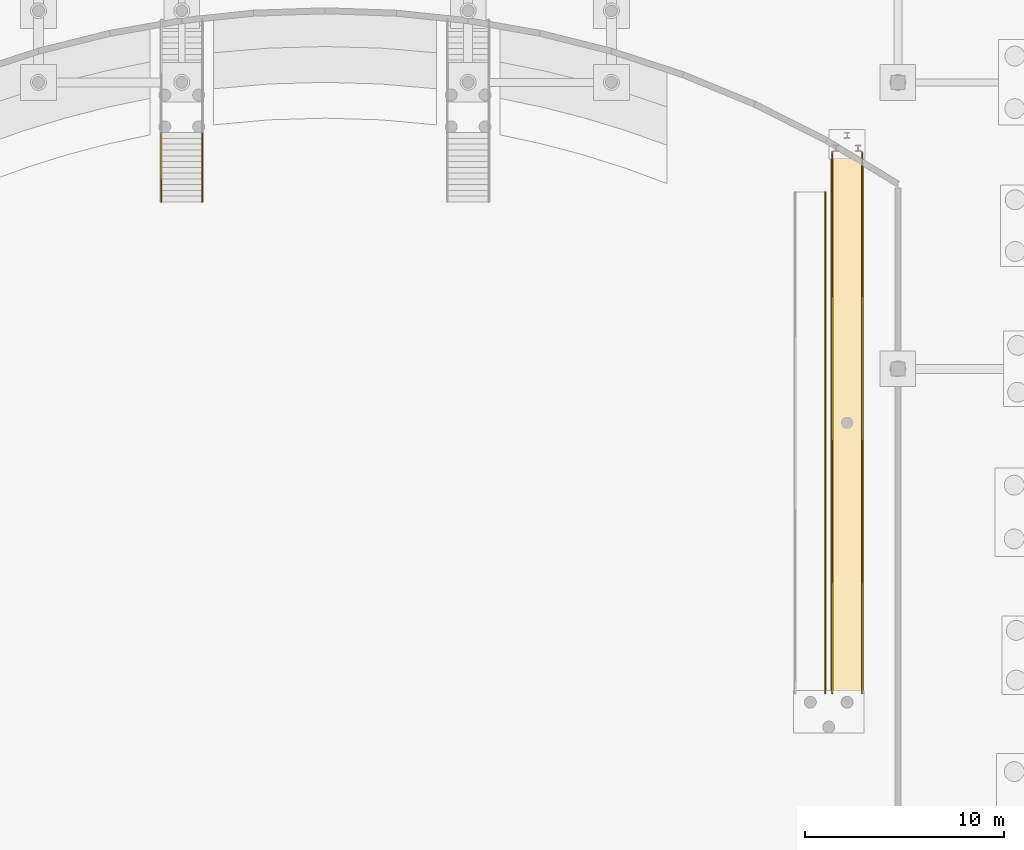
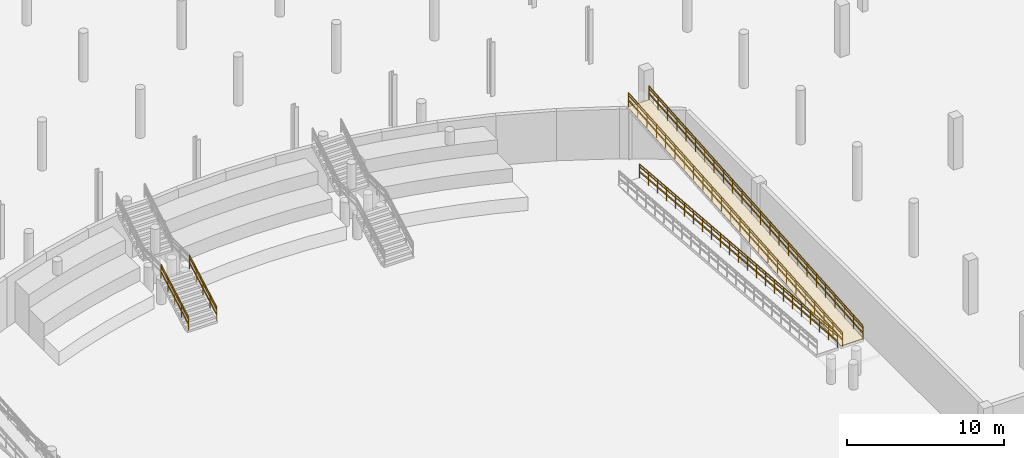
# One storey, part 51 of 56: 10 railings, 1 covering.
"""IFC4 building model written with IfcOpenShell, lengths in metres."""

from ifc_helpers import new_model, si_unit, direction, frame, origin, origin_2d, place, context, subcontext, project, spatial, polyline, rectangle, outline, extrude, material, layer, layer_set, type_object, element, save


model = new_model("IFC4")

# Units and contexts
model_context = context("Model", 3, precision=1e-05, world=origin(), true_north=direction((0.0, 1.0)))
body_context = subcontext(model_context, "Body", "Model", "MODEL_VIEW")
ifc_project = project(units=[si_unit("LENGTHUNIT", "METRE"), si_unit("AREAUNIT", "SQUARE_METRE"), si_unit("VOLUMEUNIT", "CUBIC_METRE"), si_unit("PLANEANGLEUNIT", "RADIAN"), si_unit("MASSUNIT", "GRAM", prefix="KILO")], contexts=[model_context])

# Site, building, storey
site_placement = place(None, origin())
site = spatial("IfcSite", under=ifc_project, at=site_placement, CompositionType="ELEMENT")
building_placement = place(site_placement, origin())
building = spatial("IfcBuilding", under=site, at=building_placement, Name="Suanplinth Sawtooth Commons", CompositionType="ELEMENT")
storey_placement = place(building_placement, frame((0.0, 0.0, -4.199951171875)))
storey = spatial("IfcBuildingStorey", under=building, at=storey_placement, Name="B1", CompositionType="ELEMENT", Elevation=-4.199951171875)

# Covering
ifc_material_1 = material(Name="Insulated zinc-aluminium architectural wall panel", Category="aluminium")
ifc_layer = layer(ifc_material_1, 0.139892578125, Name="Insulated architectural gable tympanum cladding 140mm")
ifc_layer_set = layer_set([ifc_layer], Name="Insulated zinc-aluminium architectural wall panel")
covering_type = type_object("IfcCoveringType", Name="CV-CL02", PredefinedType="CLADDING", material=ifc_layer_set)
covering_placement = place(storey_placement, frame((111.830078125, 12.5380859375, 2.119873046875), z_axis=(0.0, -0.076390700414, 0.99707796129), x_axis=(1.0, 0.0, 0.0)))
element("IfcCovering", 1, at=covering_placement, inside=storey, type_object=covering_type, Name="RMP-AR-02 Upper Ramp Deck Stone Finish", PredefinedType="CLADDING", context=body_context, shape_type="SweptSolid", body=[
    extrude(outline(polyline([(0.0, 0.0), (1.639892578125, 0.0), (1.639892578125, 27.22946790301392), (0.0, 27.22946790301392), (0.0, 0.0)])), origin(), (0.0, 0.0, -1.0), 0.06005859375),
])

# Railings
ifc_material_2 = material(Name="Stainless steel Grade 304", Category="steel")
railing_type_1 = type_object("IfcRailingType", Name="GR-04", PredefinedType="GUARDRAIL", material=ifc_material_2)
for number, where, name in (
    (2, (78.159912109375, 37.189208984375, 0.161376953125), "Forecourt Stair Guard 1-1-1"),
    (3, (80.239990234375, 37.189208984375, 0.161376953125), "Forecourt Stair Guard 1-2-1"),
):
    element("IfcRailing", number, at=place(storey_placement, frame(where)), inside=storey, type_object=railing_type_1, Name=name, PredefinedType="GUARDRAIL", context=body_context, shape_type="SweptSolid", body=[
        extrude(rectangle(XDim=0.048095703125, YDim=0.048095703125, at=origin_2d()), frame((0.0, 0.0, 1.076171875), z_axis=(0.0, 0.87360743253, 0.486631332559), x_axis=(-1.0, 0.0, 0.0)), (0.0, 0.0, 1.0), 3.9833984375),
        extrude(rectangle(XDim=0.03369140625, YDim=0.03369140625, at=origin_2d()), frame((0.0, 0.0, 0.550048828125), z_axis=(0.0, 0.87360743253, 0.486631332559), x_axis=(-1.0, 0.0, 0.0)), (0.0, 0.0, 1.0), 3.9833984375),
        extrude(rectangle(XDim=0.0419921875, YDim=0.0419921875, at=origin_2d()), origin(), (0.0, 0.0, 1.0), 1.052001953125),
        extrude(rectangle(XDim=0.0419921875, YDim=0.0419921875, at=origin_2d()), frame((0.0, 0.8701171875, 0.484619140625)), (0.0, 0.0, 1.0), 1.052001953125),
        extrude(rectangle(XDim=0.0419921875, YDim=0.0419921875, at=origin_2d()), frame((0.0, 1.739990234375, 0.96923828125)), (0.0, 0.0, 1.0), 1.052001953125),
        extrude(rectangle(XDim=0.0419921875, YDim=0.0419921875, at=origin_2d()), frame((0.0, 2.60986328125, 1.453857421875)), (0.0, 0.0, 1.0), 1.052001953125),
        extrude(rectangle(XDim=0.0419921875, YDim=0.0419921875, at=origin_2d()), frame((0.0, 3.47998046875, 1.9384765625)), (0.0, 0.0, 1.0), 1.052001953125),
    ])
railing_1_placement = place(storey_placement, frame((111.550048828125, 37.68798828125, 0.0)))
element("IfcRailing", 4, at=railing_1_placement, inside=storey, type_object=railing_type_1, Name="RMP-AR-02 Guard 2", PredefinedType="GUARDRAIL", context=body_context, shape_type="SweptSolid", body=[
    extrude(rectangle(XDim=0.048095703125, YDim=0.048095703125, at=origin_2d()), frame((0.0, 0.0, 1.076171875), z_axis=(0.0, -0.996546224317, 0.083039886798), x_axis=(1.0, 0.0, 0.0)), (0.0, 0.0, 1.0), 25.287353515625),
    extrude(rectangle(XDim=0.03369140625, YDim=0.03369140625, at=origin_2d()), frame((0.0, 0.0, 0.550048828125), z_axis=(0.0, -0.996546224317, 0.083039886798), x_axis=(1.0, 0.0, 0.0)), (0.0, 0.0, 1.0), 25.287353515625),
    extrude(rectangle(XDim=0.0419921875, YDim=0.0419921875, at=origin_2d()), origin(), (0.0, 0.0, 1.0), 1.052001953125),
    extrude(rectangle(XDim=0.0419921875, YDim=0.0419921875, at=origin_2d()), frame((0.0, -1.1455078125, 0.095458984375)), (0.0, 0.0, 1.0), 1.052001953125),
    extrude(rectangle(XDim=0.0419921875, YDim=0.0419921875, at=origin_2d()), frame((0.0, -2.291015625, 0.19091796875)), (0.0, 0.0, 1.0), 1.052001953125),
    extrude(rectangle(XDim=0.0419921875, YDim=0.0419921875, at=origin_2d()), frame((0.0, -3.436279296875, 0.286376953125)), (0.0, 0.0, 1.0), 1.052001953125),
    extrude(rectangle(XDim=0.0419921875, YDim=0.0419921875, at=origin_2d()), frame((0.0, -4.581787109375, 0.3818359375)), (0.0, 0.0, 1.0), 1.052001953125),
    extrude(rectangle(XDim=0.0419921875, YDim=0.0419921875, at=origin_2d()), frame((0.0, -5.727294921875, 0.477294921875)), (0.0, 0.0, 1.0), 1.052001953125),
    extrude(rectangle(XDim=0.0419921875, YDim=0.0419921875, at=origin_2d()), frame((0.0, -6.872802734375, 0.57275390625)), (0.0, 0.0, 1.0), 1.052001953125),
    extrude(rectangle(XDim=0.0419921875, YDim=0.0419921875, at=origin_2d()), frame((0.0, -8.01806640625, 0.668212890625)), (0.0, 0.0, 1.0), 1.052001953125),
    extrude(rectangle(XDim=0.0419921875, YDim=0.0419921875, at=origin_2d()), frame((0.0, -9.16357421875, 0.763671875)), (0.0, 0.0, 1.0), 1.052001953125),
    extrude(rectangle(XDim=0.0419921875, YDim=0.0419921875, at=origin_2d()), frame((0.0, -10.30908203125, 0.859130859375)), (0.0, 0.0, 1.0), 1.052001953125),
    extrude(rectangle(XDim=0.0419921875, YDim=0.0419921875, at=origin_2d()), frame((0.0, -11.45458984375, 0.95458984375)), (0.0, 0.0, 1.0), 1.052001953125),
    extrude(rectangle(XDim=0.0419921875, YDim=0.0419921875, at=origin_2d()), frame((0.0, -12.60009765625, 1.0498046875)), (0.0, 0.0, 1.0), 1.052001953125),
    extrude(rectangle(XDim=0.0419921875, YDim=0.0419921875, at=origin_2d()), frame((0.0, -13.745361328125, 1.145263671875)), (0.0, 0.0, 1.0), 1.052001953125),
    extrude(rectangle(XDim=0.0419921875, YDim=0.0419921875, at=origin_2d()), frame((0.0, -14.890869140625, 1.24072265625)), (0.0, 0.0, 1.0), 1.052001953125),
    extrude(rectangle(XDim=0.0419921875, YDim=0.0419921875, at=origin_2d()), frame((0.0, -16.036376953125, 1.336181640625)), (0.0, 0.0, 1.0), 1.052001953125),
    extrude(rectangle(XDim=0.0419921875, YDim=0.0419921875, at=origin_2d()), frame((0.0, -17.181884765625, 1.431640625)), (0.0, 0.0, 1.0), 1.052001953125),
    extrude(rectangle(XDim=0.0419921875, YDim=0.0419921875, at=origin_2d()), frame((0.0, -18.3271484375, 1.527099609375)), (0.0, 0.0, 1.0), 1.052001953125),
    extrude(rectangle(XDim=0.0419921875, YDim=0.0419921875, at=origin_2d()), frame((0.0, -19.47265625, 1.62255859375)), (0.0, 0.0, 1.0), 1.052001953125),
    extrude(rectangle(XDim=0.0419921875, YDim=0.0419921875, at=origin_2d()), frame((0.0, -20.6181640625, 1.718017578125)), (0.0, 0.0, 1.0), 1.052001953125),
    extrude(rectangle(XDim=0.0419921875, YDim=0.0419921875, at=origin_2d()), frame((0.0, -21.763671875, 1.8134765625)), (0.0, 0.0, 1.0), 1.052001953125),
    extrude(rectangle(XDim=0.0419921875, YDim=0.0419921875, at=origin_2d()), frame((0.0, -22.908935546875, 1.908935546875)), (0.0, 0.0, 1.0), 1.052001953125),
    extrude(rectangle(XDim=0.0419921875, YDim=0.0419921875, at=origin_2d()), frame((0.0, -24.054443359375, 2.00439453125)), (0.0, 0.0, 1.0), 1.052001953125),
    extrude(rectangle(XDim=0.0419921875, YDim=0.0419921875, at=origin_2d()), frame((0.0, -25.199951171875, 2.099853515625)), (0.0, 0.0, 1.0), 1.052001953125),
])
railing_2_placement = place(storey_placement, frame((111.89990234375, 12.488037109375, 2.099853515625)))
element("IfcRailing", 5, at=railing_2_placement, inside=storey, type_object=railing_type_1, Name="RMP-AR-02 Guard 3", PredefinedType="GUARDRAIL", context=body_context, shape_type="SweptSolid", body=[
    extrude(rectangle(XDim=0.048095703125, YDim=0.048095703125, at=origin_2d()), frame((0.0, 0.0, 1.076171875), z_axis=(0.0, 0.997032598624, 0.076980499353), x_axis=(-1.0, 0.0, 0.0)), (0.0, 0.0, 1.0), 27.281005859375),
    extrude(rectangle(XDim=0.03369140625, YDim=0.03369140625, at=origin_2d()), frame((0.0, 0.0, 0.550048828125), z_axis=(0.0, 0.997032598624, 0.076980499353), x_axis=(-1.0, 0.0, 0.0)), (0.0, 0.0, 1.0), 27.281005859375),
    extrude(rectangle(XDim=0.0419921875, YDim=0.0419921875, at=origin_2d()), origin(), (0.0, 0.0, 1.0), 1.052001953125),
    extrude(rectangle(XDim=0.0419921875, YDim=0.0419921875, at=origin_2d()), frame((0.0, 1.1826171875, 0.09130859375)), (0.0, 0.0, 1.0), 1.052001953125),
    extrude(rectangle(XDim=0.0419921875, YDim=0.0419921875, at=origin_2d()), frame((0.0, 2.365234375, 0.1826171875)), (0.0, 0.0, 1.0), 1.052001953125),
    extrude(rectangle(XDim=0.0419921875, YDim=0.0419921875, at=origin_2d()), frame((0.0, 3.5478515625, 0.27392578125)), (0.0, 0.0, 1.0), 1.052001953125),
    extrude(rectangle(XDim=0.0419921875, YDim=0.0419921875, at=origin_2d()), frame((0.0, 4.73046875, 0.365234375)), (0.0, 0.0, 1.0), 1.052001953125),
    extrude(rectangle(XDim=0.0419921875, YDim=0.0419921875, at=origin_2d()), frame((0.0, 5.9130859375, 0.45654296875)), (0.0, 0.0, 1.0), 1.052001953125),
    extrude(rectangle(XDim=0.0419921875, YDim=0.0419921875, at=origin_2d()), frame((0.0, 7.095703125, 0.5478515625)), (0.0, 0.0, 1.0), 1.052001953125),
    extrude(rectangle(XDim=0.0419921875, YDim=0.0419921875, at=origin_2d()), frame((0.0, 8.2783203125, 0.63916015625)), (0.0, 0.0, 1.0), 1.052001953125),
    extrude(rectangle(XDim=0.0419921875, YDim=0.0419921875, at=origin_2d()), frame((0.0, 9.4609375, 0.73046875)), (0.0, 0.0, 1.0), 1.052001953125),
    extrude(rectangle(XDim=0.0419921875, YDim=0.0419921875, at=origin_2d()), frame((0.0, 10.6435546875, 0.82177734375)), (0.0, 0.0, 1.0), 1.052001953125),
    extrude(rectangle(XDim=0.0419921875, YDim=0.0419921875, at=origin_2d()), frame((0.0, 11.826171875, 0.9130859375)), (0.0, 0.0, 1.0), 1.052001953125),
    extrude(rectangle(XDim=0.0419921875, YDim=0.0419921875, at=origin_2d()), frame((0.0, 13.0087890625, 1.00439453125)), (0.0, 0.0, 1.0), 1.052001953125),
    extrude(rectangle(XDim=0.0419921875, YDim=0.0419921875, at=origin_2d()), frame((0.0, 14.191162109375, 1.095703125)), (0.0, 0.0, 1.0), 1.052001953125),
    extrude(rectangle(XDim=0.0419921875, YDim=0.0419921875, at=origin_2d()), frame((0.0, 15.373779296875, 1.18701171875)), (0.0, 0.0, 1.0), 1.052001953125),
    extrude(rectangle(XDim=0.0419921875, YDim=0.0419921875, at=origin_2d()), frame((0.0, 16.556396484375, 1.2783203125)), (0.0, 0.0, 1.0), 1.052001953125),
    extrude(rectangle(XDim=0.0419921875, YDim=0.0419921875, at=origin_2d()), frame((0.0, 17.739013671875, 1.36962890625)), (0.0, 0.0, 1.0), 1.052001953125),
    extrude(rectangle(XDim=0.0419921875, YDim=0.0419921875, at=origin_2d()), frame((0.0, 18.921630859375, 1.4609375)), (0.0, 0.0, 1.0), 1.052001953125),
    extrude(rectangle(XDim=0.0419921875, YDim=0.0419921875, at=origin_2d()), frame((0.0, 20.104248046875, 1.55224609375)), (0.0, 0.0, 1.0), 1.052001953125),
    extrude(rectangle(XDim=0.0419921875, YDim=0.0419921875, at=origin_2d()), frame((0.0, 21.286865234375, 1.6435546875)), (0.0, 0.0, 1.0), 1.052001953125),
    extrude(rectangle(XDim=0.0419921875, YDim=0.0419921875, at=origin_2d()), frame((0.0, 22.469482421875, 1.73486328125)), (0.0, 0.0, 1.0), 1.052001953125),
    extrude(rectangle(XDim=0.0419921875, YDim=0.0419921875, at=origin_2d()), frame((0.0, 23.652099609375, 1.826171875)), (0.0, 0.0, 1.0), 1.052001953125),
    extrude(rectangle(XDim=0.0419921875, YDim=0.0419921875, at=origin_2d()), frame((0.0, 24.834716796875, 1.91748046875)), (0.0, 0.0, 1.0), 1.052001953125),
    extrude(rectangle(XDim=0.0419921875, YDim=0.0419921875, at=origin_2d()), frame((0.0, 26.017333984375, 2.0087890625)), (0.0, 0.0, 1.0), 1.052001953125),
    extrude(rectangle(XDim=0.0419921875, YDim=0.0419921875, at=origin_2d()), frame((0.0, 27.199951171875, 2.10009765625)), (0.0, 0.0, 1.0), 1.052001953125),
])
railing_3_placement = place(storey_placement, frame((113.39990234375, 12.488037109375, 2.099853515625)))
element("IfcRailing", 6, at=railing_3_placement, inside=storey, type_object=railing_type_1, Name="RMP-AR-02 Guard 4", PredefinedType="GUARDRAIL", context=body_context, shape_type="SweptSolid", body=[
    extrude(rectangle(XDim=0.048095703125, YDim=0.048095703125, at=origin_2d()), frame((0.0, 0.0, 1.076171875), z_axis=(0.0, 0.997032598624, 0.076980499353), x_axis=(-1.0, 0.0, 0.0)), (0.0, 0.0, 1.0), 27.281005859375),
    extrude(rectangle(XDim=0.03369140625, YDim=0.03369140625, at=origin_2d()), frame((0.0, 0.0, 0.550048828125), z_axis=(0.0, 0.997032598624, 0.076980499353), x_axis=(-1.0, 0.0, 0.0)), (0.0, 0.0, 1.0), 27.281005859375),
    extrude(rectangle(XDim=0.0419921875, YDim=0.0419921875, at=origin_2d()), origin(), (0.0, 0.0, 1.0), 1.052001953125),
    extrude(rectangle(XDim=0.0419921875, YDim=0.0419921875, at=origin_2d()), frame((0.0, 1.1826171875, 0.09130859375)), (0.0, 0.0, 1.0), 1.052001953125),
    extrude(rectangle(XDim=0.0419921875, YDim=0.0419921875, at=origin_2d()), frame((0.0, 2.365234375, 0.1826171875)), (0.0, 0.0, 1.0), 1.052001953125),
    extrude(rectangle(XDim=0.0419921875, YDim=0.0419921875, at=origin_2d()), frame((0.0, 3.5478515625, 0.27392578125)), (0.0, 0.0, 1.0), 1.052001953125),
    extrude(rectangle(XDim=0.0419921875, YDim=0.0419921875, at=origin_2d()), frame((0.0, 4.73046875, 0.365234375)), (0.0, 0.0, 1.0), 1.052001953125),
    extrude(rectangle(XDim=0.0419921875, YDim=0.0419921875, at=origin_2d()), frame((0.0, 5.9130859375, 0.45654296875)), (0.0, 0.0, 1.0), 1.052001953125),
    extrude(rectangle(XDim=0.0419921875, YDim=0.0419921875, at=origin_2d()), frame((0.0, 7.095703125, 0.5478515625)), (0.0, 0.0, 1.0), 1.052001953125),
    extrude(rectangle(XDim=0.0419921875, YDim=0.0419921875, at=origin_2d()), frame((0.0, 8.2783203125, 0.63916015625)), (0.0, 0.0, 1.0), 1.052001953125),
    extrude(rectangle(XDim=0.0419921875, YDim=0.0419921875, at=origin_2d()), frame((0.0, 9.4609375, 0.73046875)), (0.0, 0.0, 1.0), 1.052001953125),
    extrude(rectangle(XDim=0.0419921875, YDim=0.0419921875, at=origin_2d()), frame((0.0, 10.6435546875, 0.82177734375)), (0.0, 0.0, 1.0), 1.052001953125),
    extrude(rectangle(XDim=0.0419921875, YDim=0.0419921875, at=origin_2d()), frame((0.0, 11.826171875, 0.9130859375)), (0.0, 0.0, 1.0), 1.052001953125),
    extrude(rectangle(XDim=0.0419921875, YDim=0.0419921875, at=origin_2d()), frame((0.0, 13.0087890625, 1.00439453125)), (0.0, 0.0, 1.0), 1.052001953125),
    extrude(rectangle(XDim=0.0419921875, YDim=0.0419921875, at=origin_2d()), frame((0.0, 14.191162109375, 1.095703125)), (0.0, 0.0, 1.0), 1.052001953125),
    extrude(rectangle(XDim=0.0419921875, YDim=0.0419921875, at=origin_2d()), frame((0.0, 15.373779296875, 1.18701171875)), (0.0, 0.0, 1.0), 1.052001953125),
    extrude(rectangle(XDim=0.0419921875, YDim=0.0419921875, at=origin_2d()), frame((0.0, 16.556396484375, 1.2783203125)), (0.0, 0.0, 1.0), 1.052001953125),
    extrude(rectangle(XDim=0.0419921875, YDim=0.0419921875, at=origin_2d()), frame((0.0, 17.739013671875, 1.36962890625)), (0.0, 0.0, 1.0), 1.052001953125),
    extrude(rectangle(XDim=0.0419921875, YDim=0.0419921875, at=origin_2d()), frame((0.0, 18.921630859375, 1.4609375)), (0.0, 0.0, 1.0), 1.052001953125),
    extrude(rectangle(XDim=0.0419921875, YDim=0.0419921875, at=origin_2d()), frame((0.0, 20.104248046875, 1.55224609375)), (0.0, 0.0, 1.0), 1.052001953125),
    extrude(rectangle(XDim=0.0419921875, YDim=0.0419921875, at=origin_2d()), frame((0.0, 21.286865234375, 1.6435546875)), (0.0, 0.0, 1.0), 1.052001953125),
    extrude(rectangle(XDim=0.0419921875, YDim=0.0419921875, at=origin_2d()), frame((0.0, 22.469482421875, 1.73486328125)), (0.0, 0.0, 1.0), 1.052001953125),
    extrude(rectangle(XDim=0.0419921875, YDim=0.0419921875, at=origin_2d()), frame((0.0, 23.652099609375, 1.826171875)), (0.0, 0.0, 1.0), 1.052001953125),
    extrude(rectangle(XDim=0.0419921875, YDim=0.0419921875, at=origin_2d()), frame((0.0, 24.834716796875, 1.91748046875)), (0.0, 0.0, 1.0), 1.052001953125),
    extrude(rectangle(XDim=0.0419921875, YDim=0.0419921875, at=origin_2d()), frame((0.0, 26.017333984375, 2.0087890625)), (0.0, 0.0, 1.0), 1.052001953125),
    extrude(rectangle(XDim=0.0419921875, YDim=0.0419921875, at=origin_2d()), frame((0.0, 27.199951171875, 2.10009765625)), (0.0, 0.0, 1.0), 1.052001953125),
])
railing_type_2 = type_object("IfcRailingType", Name="HR-01", PredefinedType="HANDRAIL", material=ifc_material_2)
for number, where, name in (
    (7, (78.159912109375, 37.189208984375, 0.161376953125), "Forecourt Stair Handrail 1-1-1"),
    (8, (80.239990234375, 37.189208984375, 0.161376953125), "Forecourt Stair Handrail 1-2-1"),
):
    element("IfcRailing", number, at=place(storey_placement, frame(where)), inside=storey, type_object=railing_type_2, Name=name, PredefinedType="HANDRAIL", context=body_context, shape_type="SweptSolid", body=[
        extrude(rectangle(XDim=0.048095703125, YDim=0.048095703125, at=origin_2d()), frame((0.0, 0.0, 0.8759765625), z_axis=(0.0, 0.87360743253, 0.486631332559), x_axis=(-1.0, 0.0, 0.0)), (0.0, 0.0, 1.0), 3.9833984375),
        extrude(rectangle(XDim=0.03369140625, YDim=0.03369140625, at=origin_2d()), frame((0.0, 0.0, 0.449951171875), z_axis=(0.0, 0.87360743253, 0.486631332559), x_axis=(-1.0, 0.0, 0.0)), (0.0, 0.0, 1.0), 3.9833984375),
        extrude(rectangle(XDim=0.0419921875, YDim=0.0419921875, at=origin_2d()), origin(), (0.0, 0.0, 1.0), 0.851806640625),
        extrude(rectangle(XDim=0.0419921875, YDim=0.0419921875, at=origin_2d()), frame((0.0, 0.8701171875, 0.484619140625)), (0.0, 0.0, 1.0), 0.851806640625),
        extrude(rectangle(XDim=0.0419921875, YDim=0.0419921875, at=origin_2d()), frame((0.0, 1.739990234375, 0.96923828125)), (0.0, 0.0, 1.0), 0.851806640625),
        extrude(rectangle(XDim=0.0419921875, YDim=0.0419921875, at=origin_2d()), frame((0.0, 2.60986328125, 1.453857421875)), (0.0, 0.0, 1.0), 0.851806640625),
        extrude(rectangle(XDim=0.0419921875, YDim=0.0419921875, at=origin_2d()), frame((0.0, 3.47998046875, 1.9384765625)), (0.0, 0.0, 1.0), 0.851806640625),
    ])
railing_4_placement = place(storey_placement, frame((111.550048828125, 37.68798828125, 0.0)))
element("IfcRailing", 9, at=railing_4_placement, inside=storey, type_object=railing_type_2, Name="RMP-AR-02 Handrail 2", PredefinedType="HANDRAIL", context=body_context, shape_type="SweptSolid", body=[
    extrude(rectangle(XDim=0.048095703125, YDim=0.048095703125, at=origin_2d()), frame((0.0, 0.0, 0.8759765625), z_axis=(0.0, -0.996546224317, 0.083039886798), x_axis=(1.0, 0.0, 0.0)), (0.0, 0.0, 1.0), 25.287353515625),
    extrude(rectangle(XDim=0.03369140625, YDim=0.03369140625, at=origin_2d()), frame((0.0, 0.0, 0.449951171875), z_axis=(0.0, -0.996546224317, 0.083039886798), x_axis=(1.0, 0.0, 0.0)), (0.0, 0.0, 1.0), 25.287353515625),
    extrude(rectangle(XDim=0.0419921875, YDim=0.0419921875, at=origin_2d()), origin(), (0.0, 0.0, 1.0), 0.851806640625),
    extrude(rectangle(XDim=0.0419921875, YDim=0.0419921875, at=origin_2d()), frame((0.0, -1.1455078125, 0.095458984375)), (0.0, 0.0, 1.0), 0.851806640625),
    extrude(rectangle(XDim=0.0419921875, YDim=0.0419921875, at=origin_2d()), frame((0.0, -2.291015625, 0.19091796875)), (0.0, 0.0, 1.0), 0.851806640625),
    extrude(rectangle(XDim=0.0419921875, YDim=0.0419921875, at=origin_2d()), frame((0.0, -3.436279296875, 0.286376953125)), (0.0, 0.0, 1.0), 0.851806640625),
    extrude(rectangle(XDim=0.0419921875, YDim=0.0419921875, at=origin_2d()), frame((0.0, -4.581787109375, 0.3818359375)), (0.0, 0.0, 1.0), 0.851806640625),
    extrude(rectangle(XDim=0.0419921875, YDim=0.0419921875, at=origin_2d()), frame((0.0, -5.727294921875, 0.477294921875)), (0.0, 0.0, 1.0), 0.851806640625),
    extrude(rectangle(XDim=0.0419921875, YDim=0.0419921875, at=origin_2d()), frame((0.0, -6.872802734375, 0.57275390625)), (0.0, 0.0, 1.0), 0.851806640625),
    extrude(rectangle(XDim=0.0419921875, YDim=0.0419921875, at=origin_2d()), frame((0.0, -8.01806640625, 0.668212890625)), (0.0, 0.0, 1.0), 0.851806640625),
    extrude(rectangle(XDim=0.0419921875, YDim=0.0419921875, at=origin_2d()), frame((0.0, -9.16357421875, 0.763671875)), (0.0, 0.0, 1.0), 0.851806640625),
    extrude(rectangle(XDim=0.0419921875, YDim=0.0419921875, at=origin_2d()), frame((0.0, -10.30908203125, 0.859130859375)), (0.0, 0.0, 1.0), 0.851806640625),
    extrude(rectangle(XDim=0.0419921875, YDim=0.0419921875, at=origin_2d()), frame((0.0, -11.45458984375, 0.95458984375)), (0.0, 0.0, 1.0), 0.851806640625),
    extrude(rectangle(XDim=0.0419921875, YDim=0.0419921875, at=origin_2d()), frame((0.0, -12.60009765625, 1.0498046875)), (0.0, 0.0, 1.0), 0.851806640625),
    extrude(rectangle(XDim=0.0419921875, YDim=0.0419921875, at=origin_2d()), frame((0.0, -13.745361328125, 1.145263671875)), (0.0, 0.0, 1.0), 0.851806640625),
    extrude(rectangle(XDim=0.0419921875, YDim=0.0419921875, at=origin_2d()), frame((0.0, -14.890869140625, 1.24072265625)), (0.0, 0.0, 1.0), 0.851806640625),
    extrude(rectangle(XDim=0.0419921875, YDim=0.0419921875, at=origin_2d()), frame((0.0, -16.036376953125, 1.336181640625)), (0.0, 0.0, 1.0), 0.851806640625),
    extrude(rectangle(XDim=0.0419921875, YDim=0.0419921875, at=origin_2d()), frame((0.0, -17.181884765625, 1.431640625)), (0.0, 0.0, 1.0), 0.851806640625),
    extrude(rectangle(XDim=0.0419921875, YDim=0.0419921875, at=origin_2d()), frame((0.0, -18.3271484375, 1.527099609375)), (0.0, 0.0, 1.0), 0.851806640625),
    extrude(rectangle(XDim=0.0419921875, YDim=0.0419921875, at=origin_2d()), frame((0.0, -19.47265625, 1.62255859375)), (0.0, 0.0, 1.0), 0.851806640625),
    extrude(rectangle(XDim=0.0419921875, YDim=0.0419921875, at=origin_2d()), frame((0.0, -20.6181640625, 1.718017578125)), (0.0, 0.0, 1.0), 0.851806640625),
    extrude(rectangle(XDim=0.0419921875, YDim=0.0419921875, at=origin_2d()), frame((0.0, -21.763671875, 1.8134765625)), (0.0, 0.0, 1.0), 0.851806640625),
    extrude(rectangle(XDim=0.0419921875, YDim=0.0419921875, at=origin_2d()), frame((0.0, -22.908935546875, 1.908935546875)), (0.0, 0.0, 1.0), 0.851806640625),
    extrude(rectangle(XDim=0.0419921875, YDim=0.0419921875, at=origin_2d()), frame((0.0, -24.054443359375, 2.00439453125)), (0.0, 0.0, 1.0), 0.851806640625),
    extrude(rectangle(XDim=0.0419921875, YDim=0.0419921875, at=origin_2d()), frame((0.0, -25.199951171875, 2.099853515625)), (0.0, 0.0, 1.0), 0.851806640625),
])
railing_5_placement = place(storey_placement, frame((111.89990234375, 12.488037109375, 2.099853515625)))
element("IfcRailing", 10, at=railing_5_placement, inside=storey, type_object=railing_type_2, Name="RMP-AR-02 Handrail 3", PredefinedType="HANDRAIL", context=body_context, shape_type="SweptSolid", body=[
    extrude(rectangle(XDim=0.048095703125, YDim=0.048095703125, at=origin_2d()), frame((0.0, 0.0, 0.8759765625), z_axis=(0.0, 0.997032598624, 0.076980499353), x_axis=(-1.0, 0.0, 0.0)), (0.0, 0.0, 1.0), 27.281005859375),
    extrude(rectangle(XDim=0.03369140625, YDim=0.03369140625, at=origin_2d()), frame((0.0, 0.0, 0.449951171875), z_axis=(0.0, 0.997032598624, 0.076980499353), x_axis=(-1.0, 0.0, 0.0)), (0.0, 0.0, 1.0), 27.281005859375),
    extrude(rectangle(XDim=0.0419921875, YDim=0.0419921875, at=origin_2d()), origin(), (0.0, 0.0, 1.0), 0.851806640625),
    extrude(rectangle(XDim=0.0419921875, YDim=0.0419921875, at=origin_2d()), frame((0.0, 1.1826171875, 0.09130859375)), (0.0, 0.0, 1.0), 0.851806640625),
    extrude(rectangle(XDim=0.0419921875, YDim=0.0419921875, at=origin_2d()), frame((0.0, 2.365234375, 0.1826171875)), (0.0, 0.0, 1.0), 0.851806640625),
    extrude(rectangle(XDim=0.0419921875, YDim=0.0419921875, at=origin_2d()), frame((0.0, 3.5478515625, 0.27392578125)), (0.0, 0.0, 1.0), 0.851806640625),
    extrude(rectangle(XDim=0.0419921875, YDim=0.0419921875, at=origin_2d()), frame((0.0, 4.73046875, 0.365234375)), (0.0, 0.0, 1.0), 0.851806640625),
    extrude(rectangle(XDim=0.0419921875, YDim=0.0419921875, at=origin_2d()), frame((0.0, 5.9130859375, 0.45654296875)), (0.0, 0.0, 1.0), 0.851806640625),
    extrude(rectangle(XDim=0.0419921875, YDim=0.0419921875, at=origin_2d()), frame((0.0, 7.095703125, 0.5478515625)), (0.0, 0.0, 1.0), 0.851806640625),
    extrude(rectangle(XDim=0.0419921875, YDim=0.0419921875, at=origin_2d()), frame((0.0, 8.2783203125, 0.63916015625)), (0.0, 0.0, 1.0), 0.851806640625),
    extrude(rectangle(XDim=0.0419921875, YDim=0.0419921875, at=origin_2d()), frame((0.0, 9.4609375, 0.73046875)), (0.0, 0.0, 1.0), 0.851806640625),
    extrude(rectangle(XDim=0.0419921875, YDim=0.0419921875, at=origin_2d()), frame((0.0, 10.6435546875, 0.82177734375)), (0.0, 0.0, 1.0), 0.851806640625),
    extrude(rectangle(XDim=0.0419921875, YDim=0.0419921875, at=origin_2d()), frame((0.0, 11.826171875, 0.9130859375)), (0.0, 0.0, 1.0), 0.851806640625),
    extrude(rectangle(XDim=0.0419921875, YDim=0.0419921875, at=origin_2d()), frame((0.0, 13.0087890625, 1.00439453125)), (0.0, 0.0, 1.0), 0.851806640625),
    extrude(rectangle(XDim=0.0419921875, YDim=0.0419921875, at=origin_2d()), frame((0.0, 14.191162109375, 1.095703125)), (0.0, 0.0, 1.0), 0.851806640625),
    extrude(rectangle(XDim=0.0419921875, YDim=0.0419921875, at=origin_2d()), frame((0.0, 15.373779296875, 1.18701171875)), (0.0, 0.0, 1.0), 0.851806640625),
    extrude(rectangle(XDim=0.0419921875, YDim=0.0419921875, at=origin_2d()), frame((0.0, 16.556396484375, 1.2783203125)), (0.0, 0.0, 1.0), 0.851806640625),
    extrude(rectangle(XDim=0.0419921875, YDim=0.0419921875, at=origin_2d()), frame((0.0, 17.739013671875, 1.36962890625)), (0.0, 0.0, 1.0), 0.851806640625),
    extrude(rectangle(XDim=0.0419921875, YDim=0.0419921875, at=origin_2d()), frame((0.0, 18.921630859375, 1.4609375)), (0.0, 0.0, 1.0), 0.851806640625),
    extrude(rectangle(XDim=0.0419921875, YDim=0.0419921875, at=origin_2d()), frame((0.0, 20.104248046875, 1.55224609375)), (0.0, 0.0, 1.0), 0.851806640625),
    extrude(rectangle(XDim=0.0419921875, YDim=0.0419921875, at=origin_2d()), frame((0.0, 21.286865234375, 1.6435546875)), (0.0, 0.0, 1.0), 0.851806640625),
    extrude(rectangle(XDim=0.0419921875, YDim=0.0419921875, at=origin_2d()), frame((0.0, 22.469482421875, 1.73486328125)), (0.0, 0.0, 1.0), 0.851806640625),
    extrude(rectangle(XDim=0.0419921875, YDim=0.0419921875, at=origin_2d()), frame((0.0, 23.652099609375, 1.826171875)), (0.0, 0.0, 1.0), 0.851806640625),
    extrude(rectangle(XDim=0.0419921875, YDim=0.0419921875, at=origin_2d()), frame((0.0, 24.834716796875, 1.91748046875)), (0.0, 0.0, 1.0), 0.851806640625),
    extrude(rectangle(XDim=0.0419921875, YDim=0.0419921875, at=origin_2d()), frame((0.0, 26.017333984375, 2.0087890625)), (0.0, 0.0, 1.0), 0.851806640625),
    extrude(rectangle(XDim=0.0419921875, YDim=0.0419921875, at=origin_2d()), frame((0.0, 27.199951171875, 2.10009765625)), (0.0, 0.0, 1.0), 0.851806640625),
])
railing_6_placement = place(storey_placement, frame((113.39990234375, 12.488037109375, 2.099853515625)))
element("IfcRailing", 11, at=railing_6_placement, inside=storey, type_object=railing_type_2, Name="RMP-AR-02 Handrail 4", PredefinedType="HANDRAIL", context=body_context, shape_type="SweptSolid", body=[
    extrude(rectangle(XDim=0.048095703125, YDim=0.048095703125, at=origin_2d()), frame((0.0, 0.0, 0.8759765625), z_axis=(0.0, 0.997032598624, 0.076980499353), x_axis=(-1.0, 0.0, 0.0)), (0.0, 0.0, 1.0), 27.281005859375),
    extrude(rectangle(XDim=0.03369140625, YDim=0.03369140625, at=origin_2d()), frame((0.0, 0.0, 0.449951171875), z_axis=(0.0, 0.997032598624, 0.076980499353), x_axis=(-1.0, 0.0, 0.0)), (0.0, 0.0, 1.0), 27.281005859375),
    extrude(rectangle(XDim=0.0419921875, YDim=0.0419921875, at=origin_2d()), origin(), (0.0, 0.0, 1.0), 0.851806640625),
    extrude(rectangle(XDim=0.0419921875, YDim=0.0419921875, at=origin_2d()), frame((0.0, 1.1826171875, 0.09130859375)), (0.0, 0.0, 1.0), 0.851806640625),
    extrude(rectangle(XDim=0.0419921875, YDim=0.0419921875, at=origin_2d()), frame((0.0, 2.365234375, 0.1826171875)), (0.0, 0.0, 1.0), 0.851806640625),
    extrude(rectangle(XDim=0.0419921875, YDim=0.0419921875, at=origin_2d()), frame((0.0, 3.5478515625, 0.27392578125)), (0.0, 0.0, 1.0), 0.851806640625),
    extrude(rectangle(XDim=0.0419921875, YDim=0.0419921875, at=origin_2d()), frame((0.0, 4.73046875, 0.365234375)), (0.0, 0.0, 1.0), 0.851806640625),
    extrude(rectangle(XDim=0.0419921875, YDim=0.0419921875, at=origin_2d()), frame((0.0, 5.9130859375, 0.45654296875)), (0.0, 0.0, 1.0), 0.851806640625),
    extrude(rectangle(XDim=0.0419921875, YDim=0.0419921875, at=origin_2d()), frame((0.0, 7.095703125, 0.5478515625)), (0.0, 0.0, 1.0), 0.851806640625),
    extrude(rectangle(XDim=0.0419921875, YDim=0.0419921875, at=origin_2d()), frame((0.0, 8.2783203125, 0.63916015625)), (0.0, 0.0, 1.0), 0.851806640625),
    extrude(rectangle(XDim=0.0419921875, YDim=0.0419921875, at=origin_2d()), frame((0.0, 9.4609375, 0.73046875)), (0.0, 0.0, 1.0), 0.851806640625),
    extrude(rectangle(XDim=0.0419921875, YDim=0.0419921875, at=origin_2d()), frame((0.0, 10.6435546875, 0.82177734375)), (0.0, 0.0, 1.0), 0.851806640625),
    extrude(rectangle(XDim=0.0419921875, YDim=0.0419921875, at=origin_2d()), frame((0.0, 11.826171875, 0.9130859375)), (0.0, 0.0, 1.0), 0.851806640625),
    extrude(rectangle(XDim=0.0419921875, YDim=0.0419921875, at=origin_2d()), frame((0.0, 13.0087890625, 1.00439453125)), (0.0, 0.0, 1.0), 0.851806640625),
    extrude(rectangle(XDim=0.0419921875, YDim=0.0419921875, at=origin_2d()), frame((0.0, 14.191162109375, 1.095703125)), (0.0, 0.0, 1.0), 0.851806640625),
    extrude(rectangle(XDim=0.0419921875, YDim=0.0419921875, at=origin_2d()), frame((0.0, 15.373779296875, 1.18701171875)), (0.0, 0.0, 1.0), 0.851806640625),
    extrude(rectangle(XDim=0.0419921875, YDim=0.0419921875, at=origin_2d()), frame((0.0, 16.556396484375, 1.2783203125)), (0.0, 0.0, 1.0), 0.851806640625),
    extrude(rectangle(XDim=0.0419921875, YDim=0.0419921875, at=origin_2d()), frame((0.0, 17.739013671875, 1.36962890625)), (0.0, 0.0, 1.0), 0.851806640625),
    extrude(rectangle(XDim=0.0419921875, YDim=0.0419921875, at=origin_2d()), frame((0.0, 18.921630859375, 1.4609375)), (0.0, 0.0, 1.0), 0.851806640625),
    extrude(rectangle(XDim=0.0419921875, YDim=0.0419921875, at=origin_2d()), frame((0.0, 20.104248046875, 1.55224609375)), (0.0, 0.0, 1.0), 0.851806640625),
    extrude(rectangle(XDim=0.0419921875, YDim=0.0419921875, at=origin_2d()), frame((0.0, 21.286865234375, 1.6435546875)), (0.0, 0.0, 1.0), 0.851806640625),
    extrude(rectangle(XDim=0.0419921875, YDim=0.0419921875, at=origin_2d()), frame((0.0, 22.469482421875, 1.73486328125)), (0.0, 0.0, 1.0), 0.851806640625),
    extrude(rectangle(XDim=0.0419921875, YDim=0.0419921875, at=origin_2d()), frame((0.0, 23.652099609375, 1.826171875)), (0.0, 0.0, 1.0), 0.851806640625),
    extrude(rectangle(XDim=0.0419921875, YDim=0.0419921875, at=origin_2d()), frame((0.0, 24.834716796875, 1.91748046875)), (0.0, 0.0, 1.0), 0.851806640625),
    extrude(rectangle(XDim=0.0419921875, YDim=0.0419921875, at=origin_2d()), frame((0.0, 26.017333984375, 2.0087890625)), (0.0, 0.0, 1.0), 0.851806640625),
    extrude(rectangle(XDim=0.0419921875, YDim=0.0419921875, at=origin_2d()), frame((0.0, 27.199951171875, 2.10009765625)), (0.0, 0.0, 1.0), 0.851806640625),
])

save(model, "model.ifc")
